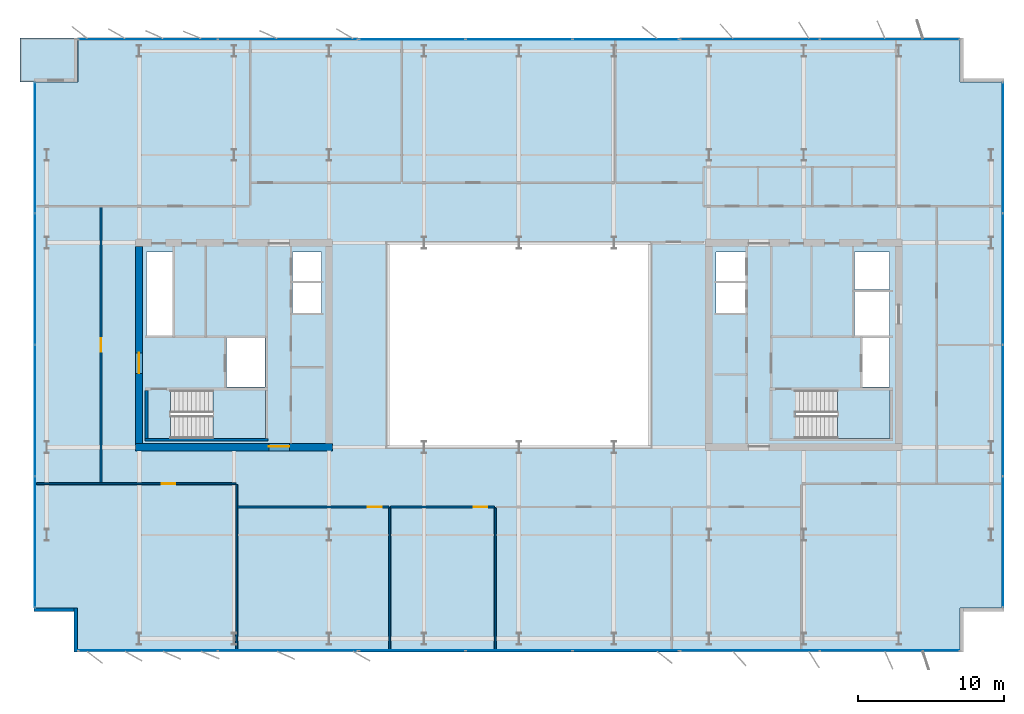
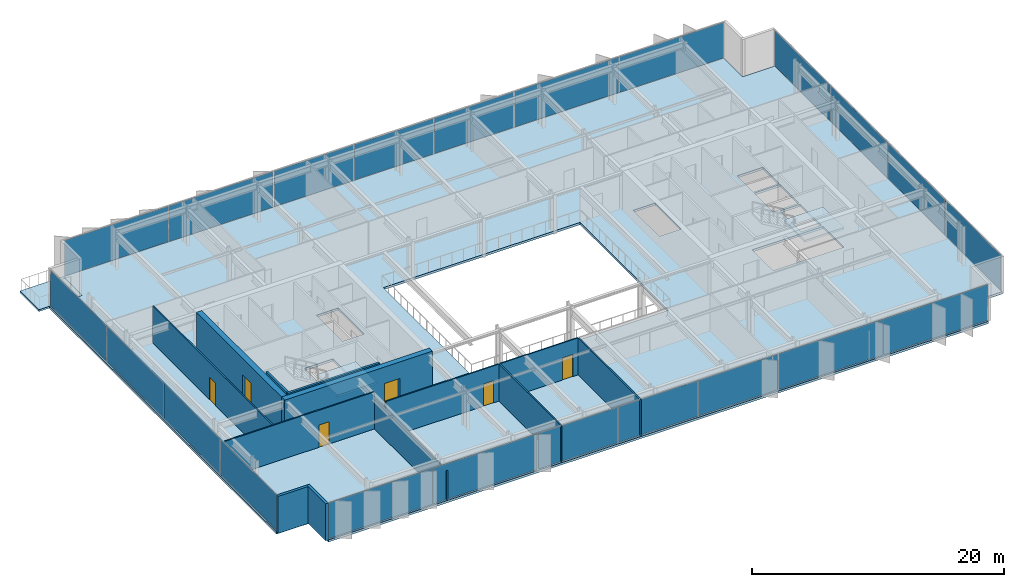
# One storey, part 16 of 23: 22 plates, 13 walls, 6 doors, 4 slabs, 6 openings, 10 elements without a shape of their own.
"""IFC4 building model written with IfcOpenShell, lengths in metres."""

from ifc_helpers import new_model, si_unit, direction, frame, frame_2d, origin, origin_2d, place, context, subcontext, project, spatial, polyline, rectangle, outline, extrude, material, layer, layer_set, type_object, element, fill, aggregate, save


model = new_model("IFC4")

# Units and contexts
model_context = context("Model", 3, precision=1e-05, world=origin(), true_north=direction((0.0, 1.0)))
body_context = subcontext(model_context, "Body", "Model", "MODEL_VIEW")
ifc_project = project(units=[si_unit("LENGTHUNIT", "METRE"), si_unit("AREAUNIT", "SQUARE_METRE"), si_unit("VOLUMEUNIT", "CUBIC_METRE"), si_unit("PLANEANGLEUNIT", "RADIAN"), si_unit("MASSUNIT", "GRAM", prefix="KILO")], contexts=[model_context])

# Site, building, storey
site_placement = place(None, origin())
site = spatial("IfcSite", under=ifc_project, at=site_placement, CompositionType="ELEMENT")
building_placement = place(site_placement, origin())
building = spatial("IfcBuilding", under=site, at=building_placement, Name="Putna Gate Headquarters", CompositionType="ELEMENT")
storey_placement = place(building_placement, frame((0.0, 0.0, 210.0)))
storey = spatial("IfcBuildingStorey", under=building, at=storey_placement, Name="L52", CompositionType="ELEMENT", Elevation=210.0)

# Stair, slab
ifc_material_1 = material(Name="Concrete C40/50", Category="concrete")
stair_type_1 = type_object("IfcStairType", Name="STAIR-ST1", PredefinedType="HALF_TURN_STAIR", material=ifc_material_1)
stair_1_placement = place(storey_placement, origin())
stair_1 = element("IfcStair", 1, at=stair_1_placement, inside=storey, type_object=stair_type_1, Name="L52 West Core Exit Stair ST1", PredefinedType="HALF_TURN_STAIR")
ifc_layer_1 = layer(ifc_material_1, 0.199951171875)
ifc_layer_set_1 = layer_set([ifc_layer_1], Name="Concrete C40/50")
slab_type_1 = type_object("IfcSlabType", Name="LANDING-ST1", PredefinedType="LANDING", material=ifc_layer_set_1)
slab_1_placement = place(storey_placement, frame((0.0, 0.0, 1.699951171875)))
slab_1 = element("IfcSlab", 2, at=slab_1_placement, type_object=slab_type_1, Name="ST1 landing 1", PredefinedType="LANDING", context=body_context, shape_type="SweptSolid", body=[
    extrude(outline(polyline([(18.050048828125, 19.60009765625), (21.64990234375, 19.60009765625), (21.64990234375, 22.89990234375), (18.050048828125, 22.89990234375), (18.050048828125, 19.60009765625)])), origin(), (0.0, 0.0, 1.0), 0.199951171875),
])
aggregate(stair_1, [slab_1])

stair_type_2 = type_object("IfcStairType", Name="STAIR-ST2", PredefinedType="HALF_TURN_STAIR", material=ifc_material_1)
stair_2_placement = place(storey_placement, origin())
stair_2 = element("IfcStair", 3, at=stair_2_placement, inside=storey, type_object=stair_type_2, Name="L52 East Core Exit Stair ST2", PredefinedType="HALF_TURN_STAIR")
ifc_layer_2 = layer(ifc_material_1, 0.199951171875)
ifc_layer_set_2 = layer_set([ifc_layer_2], Name="Concrete C40/50")
slab_type_2 = type_object("IfcSlabType", Name="LANDING-ST2", PredefinedType="LANDING", material=ifc_layer_set_2)
slab_2_placement = place(storey_placement, frame((0.0, 0.0, 1.699951171875)))
slab_2 = element("IfcSlab", 4, at=slab_2_placement, type_object=slab_type_2, Name="ST2 landing 1", PredefinedType="LANDING", context=body_context, shape_type="SweptSolid", body=[
    extrude(outline(polyline([(60.800048828125, 19.60009765625), (64.39990234375, 19.60009765625), (64.39990234375, 22.89990234375), (60.800048828125, 22.89990234375), (60.800048828125, 19.60009765625)])), origin(), (0.0, 0.0, 1.0), 0.199951171875),
])
aggregate(stair_2, [slab_2])

# Curtain wall, plates
ifc_material_2 = material(Name="Anodised bronze aluminium curtain wall", Category="aluminium")
ifc_layer_3 = layer(ifc_material_2, 0.139892578125)
ifc_layer_set_3 = layer_set([ifc_layer_3], Name="Anodised bronze aluminium curtain wall")
curtain_wall_type_1 = type_object("IfcCurtainWallType", Name="CW-SYS-Z4", PredefinedType="USERDEFINED", material=ifc_layer_set_3)
curtain_wall_1_placement = place(storey_placement, origin())
curtain_wall_1 = element("IfcCurtainWall", 5, at=curtain_wall_1_placement, inside=storey, type_object=curtain_wall_type_1, Name="L52 South West Curtain Wall", ObjectType="STICK CURTAIN WALL", PredefinedType="USERDEFINED")
ifc_material_3 = material(Name="Solar-control triple low-E glass", Category="glass")
ifc_layer_4 = layer(ifc_material_3, 0.02587890625)
ifc_layer_set_4 = layer_set([ifc_layer_4], Name="Solar-control triple low-E glass")
plate_type_1 = type_object("IfcPlateType", Name="PAN-CWP-4", PredefinedType="CURTAIN_PANEL", material=ifc_layer_set_4)
plate_1_placement = place(storey_placement, frame((13.614990234375, 5.080078125, 0.06005859375), z_axis=(0.0, 0.0, 1.0), x_axis=(1.0, 0.0, 0.0)))
plate_1 = element("IfcPlate", 6, at=plate_1_placement, type_object=plate_type_1, Name="CWS-4 panel 1.1", PredefinedType="CURTAIN_PANEL", context=body_context, shape_type="SweptSolid", body=[
    extrude(rectangle(XDim=9.510009765625, YDim=0.02587890625, at=origin_2d()), origin(), (0.0, 0.0, 1.0), 3.4599609375),
])
plate_2_placement = place(storey_placement, frame((23.18505859375, 5.080078125, 0.06005859375), z_axis=(0.0, 0.0, 1.0), x_axis=(1.0, 0.0, 0.0)))
plate_2 = element("IfcPlate", 7, at=plate_2_placement, type_object=plate_type_1, Name="CWS-4 panel 2.1", PredefinedType="CURTAIN_PANEL", context=body_context, shape_type="SweptSolid", body=[
    extrude(rectangle(XDim=9.510009765625, YDim=0.02587890625, at=origin_2d()), origin(), (0.0, 0.0, 1.0), 3.4599609375),
])
aggregate(curtain_wall_1, [plate_1, plate_2])

curtain_wall_2_placement = place(storey_placement, origin())
curtain_wall_2 = element("IfcCurtainWall", 8, at=curtain_wall_2_placement, inside=storey, type_object=curtain_wall_type_1, Name="L52 South East Curtain Wall", ObjectType="STICK CURTAIN WALL", PredefinedType="USERDEFINED")
plate_3_placement = place(storey_placement, frame((54.81494140625, 5.080078125, 0.06005859375), z_axis=(0.0, 0.0, 1.0), x_axis=(1.0, 0.0, 0.0)))
plate_3 = element("IfcPlate", 9, at=plate_3_placement, type_object=plate_type_1, Name="CWS-4 panel 1.1", PredefinedType="CURTAIN_PANEL", context=body_context, shape_type="SweptSolid", body=[
    extrude(rectangle(XDim=9.510009765625, YDim=0.02587890625, at=origin_2d()), origin(), (0.0, 0.0, 1.0), 3.4599609375),
])
plate_4_placement = place(storey_placement, frame((64.385009765625, 5.080078125, 0.06005859375), z_axis=(0.0, 0.0, 1.0), x_axis=(1.0, 0.0, 0.0)))
plate_4 = element("IfcPlate", 10, at=plate_4_placement, type_object=plate_type_1, Name="CWS-4 panel 2.1", PredefinedType="CURTAIN_PANEL", context=body_context, shape_type="SweptSolid", body=[
    extrude(rectangle(XDim=9.510009765625, YDim=0.02587890625, at=origin_2d()), origin(), (0.0, 0.0, 1.0), 3.4599609375),
])
aggregate(curtain_wall_2, [plate_3, plate_4])

curtain_wall_3_placement = place(storey_placement, origin())
curtain_wall_3 = element("IfcCurtainWall", 11, at=curtain_wall_3_placement, inside=storey, type_object=curtain_wall_type_1, Name="L52 North West Curtain Wall", ObjectType="STICK CURTAIN WALL", PredefinedType="USERDEFINED")
plate_5_placement = place(storey_placement, frame((13.614990234375, 46.919921875, 0.06005859375), z_axis=(0.0, 0.0, 1.0), x_axis=(1.0, 0.0, 0.0)))
plate_5 = element("IfcPlate", 12, at=plate_5_placement, type_object=plate_type_1, Name="CWS-4 panel 1.1", PredefinedType="CURTAIN_PANEL", context=body_context, shape_type="SweptSolid", body=[
    extrude(rectangle(XDim=9.510009765625, YDim=0.02587890625, at=origin_2d()), origin(), (0.0, 0.0, 1.0), 3.4599609375),
])
plate_6_placement = place(storey_placement, frame((23.18505859375, 46.919921875, 0.06005859375), z_axis=(0.0, 0.0, 1.0), x_axis=(1.0, 0.0, 0.0)))
plate_6 = element("IfcPlate", 13, at=plate_6_placement, type_object=plate_type_1, Name="CWS-4 panel 2.1", PredefinedType="CURTAIN_PANEL", context=body_context, shape_type="SweptSolid", body=[
    extrude(rectangle(XDim=9.510009765625, YDim=0.02587890625, at=origin_2d()), origin(), (0.0, 0.0, 1.0), 3.4599609375),
])
aggregate(curtain_wall_3, [plate_5, plate_6])

curtain_wall_4_placement = place(storey_placement, origin())
curtain_wall_4 = element("IfcCurtainWall", 14, at=curtain_wall_4_placement, inside=storey, type_object=curtain_wall_type_1, Name="L52 North East Curtain Wall", ObjectType="STICK CURTAIN WALL", PredefinedType="USERDEFINED")
plate_7_placement = place(storey_placement, frame((54.81494140625, 46.919921875, 0.06005859375), z_axis=(0.0, 0.0, 1.0), x_axis=(1.0, 0.0, 0.0)))
plate_7 = element("IfcPlate", 15, at=plate_7_placement, type_object=plate_type_1, Name="CWS-4 panel 1.1", PredefinedType="CURTAIN_PANEL", context=body_context, shape_type="SweptSolid", body=[
    extrude(rectangle(XDim=9.510009765625, YDim=0.02587890625, at=origin_2d()), origin(), (0.0, 0.0, 1.0), 3.4599609375),
])
plate_8_placement = place(storey_placement, frame((64.385009765625, 46.919921875, 0.06005859375), z_axis=(0.0, 0.0, 1.0), x_axis=(1.0, 0.0, 0.0)))
plate_8 = element("IfcPlate", 16, at=plate_8_placement, type_object=plate_type_1, Name="CWS-4 panel 2.1", PredefinedType="CURTAIN_PANEL", context=body_context, shape_type="SweptSolid", body=[
    extrude(rectangle(XDim=9.510009765625, YDim=0.02587890625, at=origin_2d()), origin(), (0.0, 0.0, 1.0), 3.4599609375),
])
aggregate(curtain_wall_4, [plate_7, plate_8])

curtain_wall_5_placement = place(storey_placement, origin())
curtain_wall_5 = element("IfcCurtainWall", 17, at=curtain_wall_5_placement, inside=storey, type_object=curtain_wall_type_1, Name="L52 West Curtain Wall", ObjectType="STICK CURTAIN WALL", PredefinedType="USERDEFINED")
plate_9_placement = place(storey_placement, frame((5.8798828125, 12.514892578125, 0.06005859375), z_axis=(0.0, 0.0, 1.0), x_axis=(0.0, 1.0, 0.0)))
plate_9 = element("IfcPlate", 18, at=plate_9_placement, type_object=plate_type_1, Name="CWS-4 panel 1.1", PredefinedType="CURTAIN_PANEL", context=body_context, shape_type="SweptSolid", body=[
    extrude(rectangle(XDim=8.909912109375, YDim=0.02587890625, at=origin_2d()), origin(), (0.0, 0.0, 1.0), 3.4599609375),
])
plate_10_placement = place(storey_placement, frame((5.8798828125, 21.5, 0.06005859375), z_axis=(0.0, 0.0, 1.0), x_axis=(0.0, 1.0, 0.0)))
plate_10 = element("IfcPlate", 19, at=plate_10_placement, type_object=plate_type_1, Name="CWS-4 panel 2.1", PredefinedType="CURTAIN_PANEL", context=body_context, shape_type="SweptSolid", body=[
    extrude(rectangle(XDim=8.93994140625, YDim=0.02587890625, at=origin_2d()), origin(), (0.0, 0.0, 1.0), 3.4599609375),
])
plate_11_placement = place(storey_placement, frame((5.8798828125, 30.5, 0.06005859375), z_axis=(0.0, 0.0, 1.0), x_axis=(0.0, 1.0, 0.0)))
plate_11 = element("IfcPlate", 20, at=plate_11_placement, type_object=plate_type_1, Name="CWS-4 panel 3.1", PredefinedType="CURTAIN_PANEL", context=body_context, shape_type="SweptSolid", body=[
    extrude(rectangle(XDim=8.93994140625, YDim=0.02587890625, at=origin_2d()), origin(), (0.0, 0.0, 1.0), 3.4599609375),
])
plate_12_placement = place(storey_placement, frame((5.8798828125, 39.485107421875, 0.06005859375), z_axis=(0.0, 0.0, 1.0), x_axis=(0.0, 1.0, 0.0)))
plate_12 = element("IfcPlate", 21, at=plate_12_placement, type_object=plate_type_1, Name="CWS-4 panel 4.1", PredefinedType="CURTAIN_PANEL", context=body_context, shape_type="SweptSolid", body=[
    extrude(rectangle(XDim=8.909912109375, YDim=0.02587890625, at=origin_2d()), origin(), (0.0, 0.0, 1.0), 3.4599609375),
])
aggregate(curtain_wall_5, [plate_9, plate_10, plate_11, plate_12])

curtain_wall_6_placement = place(storey_placement, origin())
curtain_wall_6 = element("IfcCurtainWall", 22, at=curtain_wall_6_placement, inside=storey, type_object=curtain_wall_type_1, Name="L52 East Curtain Wall", ObjectType="STICK CURTAIN WALL", PredefinedType="USERDEFINED")
plate_13_placement = place(storey_placement, frame((72.1201171875, 12.514892578125, 0.06005859375), z_axis=(0.0, 0.0, 1.0), x_axis=(0.0, 1.0, 0.0)))
plate_13 = element("IfcPlate", 23, at=plate_13_placement, type_object=plate_type_1, Name="CWS-4 panel 1.1", PredefinedType="CURTAIN_PANEL", context=body_context, shape_type="SweptSolid", body=[
    extrude(rectangle(XDim=8.909912109375, YDim=0.02587890625, at=origin_2d()), origin(), (0.0, 0.0, 1.0), 3.4599609375),
])
plate_14_placement = place(storey_placement, frame((72.1201171875, 21.5, 0.06005859375), z_axis=(0.0, 0.0, 1.0), x_axis=(0.0, 1.0, 0.0)))
plate_14 = element("IfcPlate", 24, at=plate_14_placement, type_object=plate_type_1, Name="CWS-4 panel 2.1", PredefinedType="CURTAIN_PANEL", context=body_context, shape_type="SweptSolid", body=[
    extrude(rectangle(XDim=8.93994140625, YDim=0.02587890625, at=origin_2d()), origin(), (0.0, 0.0, 1.0), 3.4599609375),
])
plate_15_placement = place(storey_placement, frame((72.1201171875, 30.5, 0.06005859375), z_axis=(0.0, 0.0, 1.0), x_axis=(0.0, 1.0, 0.0)))
plate_15 = element("IfcPlate", 25, at=plate_15_placement, type_object=plate_type_1, Name="CWS-4 panel 3.1", PredefinedType="CURTAIN_PANEL", context=body_context, shape_type="SweptSolid", body=[
    extrude(rectangle(XDim=8.93994140625, YDim=0.02587890625, at=origin_2d()), origin(), (0.0, 0.0, 1.0), 3.4599609375),
])
plate_16_placement = place(storey_placement, frame((72.1201171875, 39.485107421875, 0.06005859375), z_axis=(0.0, 0.0, 1.0), x_axis=(0.0, 1.0, 0.0)))
plate_16 = element("IfcPlate", 26, at=plate_16_placement, type_object=plate_type_1, Name="CWS-4 panel 4.1", PredefinedType="CURTAIN_PANEL", context=body_context, shape_type="SweptSolid", body=[
    extrude(rectangle(XDim=8.909912109375, YDim=0.02587890625, at=origin_2d()), origin(), (0.0, 0.0, 1.0), 3.4599609375),
])
aggregate(curtain_wall_6, [plate_13, plate_14, plate_15, plate_16])

ifc_layer_5 = layer(ifc_material_2, 0.179931640625)
ifc_layer_set_5 = layer_set([ifc_layer_5], Name="Anodised bronze aluminium curtain wall")
curtain_wall_type_2 = type_object("IfcCurtainWallType", Name="CW-SYS-ATR", PredefinedType="USERDEFINED", material=ifc_layer_set_5)
curtain_wall_7_placement = place(storey_placement, origin())
curtain_wall_7 = element("IfcCurtainWall", 27, at=curtain_wall_7_placement, inside=storey, type_object=curtain_wall_type_2, Name="L52 South Atrium Clear Glazing", ObjectType="ATRIUM GLAZING", PredefinedType="USERDEFINED")
ifc_material_4 = material(Name="Clear low-iron triple glazing", Category="glass")
ifc_layer_6 = layer(ifc_material_4, 0.0400390625)
ifc_layer_set_6 = layer_set([ifc_layer_6], Name="Clear low-iron triple glazing")
plate_type_2 = type_object("IfcPlateType", Name="PAN-CWP-AT", PredefinedType="CURTAIN_PANEL", material=ifc_layer_set_6)
plate_17_placement = place(storey_placement, frame((31.68408203125, 5.080078125, 0.070068359375), z_axis=(0.0, 0.0, 1.0), x_axis=(1.0, 0.0, 0.0)))
plate_17 = element("IfcPlate", 28, at=plate_17_placement, type_object=plate_type_2, Name="CWS-AT panel 1.1", PredefinedType="CURTAIN_PANEL", context=body_context, shape_type="SweptSolid", body=[
    extrude(rectangle(XDim=7.228271484375, YDim=0.0400390625, at=origin_2d()), origin(), (0.0, 0.0, 1.0), 3.43994140625),
])
plate_18_placement = place(storey_placement, frame((39.0, 5.080078125, 0.070068359375), z_axis=(0.0, 0.0, 1.0), x_axis=(1.0, 0.0, 0.0)))
plate_18 = element("IfcPlate", 29, at=plate_18_placement, type_object=plate_type_2, Name="CWS-AT panel 2.1", PredefinedType="CURTAIN_PANEL", context=body_context, shape_type="SweptSolid", body=[
    extrude(rectangle(XDim=7.263427734375, YDim=0.0400390625, at=origin_2d()), origin(), (0.0, 0.0, 1.0), 3.43994140625),
])
plate_19_placement = place(storey_placement, frame((46.31591796875, 5.080078125, 0.070068359375), z_axis=(0.0, 0.0, 1.0), x_axis=(1.0, 0.0, 0.0)))
plate_19 = element("IfcPlate", 30, at=plate_19_placement, type_object=plate_type_2, Name="CWS-AT panel 3.1", PredefinedType="CURTAIN_PANEL", context=body_context, shape_type="SweptSolid", body=[
    extrude(rectangle(XDim=7.228271484375, YDim=0.0400390625, at=origin_2d()), origin(), (0.0, 0.0, 1.0), 3.43994140625),
])
aggregate(curtain_wall_7, [plate_17, plate_18, plate_19])

curtain_wall_8_placement = place(storey_placement, origin())
curtain_wall_8 = element("IfcCurtainWall", 31, at=curtain_wall_8_placement, inside=storey, type_object=curtain_wall_type_2, Name="L52 North Atrium Clear Glazing", ObjectType="ATRIUM GLAZING", PredefinedType="USERDEFINED")
plate_20_placement = place(storey_placement, frame((31.68408203125, 46.919921875, 0.070068359375), z_axis=(0.0, 0.0, 1.0), x_axis=(1.0, 0.0, 0.0)))
plate_20 = element("IfcPlate", 32, at=plate_20_placement, type_object=plate_type_2, Name="CWS-AT panel 1.1", PredefinedType="CURTAIN_PANEL", context=body_context, shape_type="SweptSolid", body=[
    extrude(rectangle(XDim=7.228271484375, YDim=0.0400390625, at=origin_2d()), origin(), (0.0, 0.0, 1.0), 3.43994140625),
])
plate_21_placement = place(storey_placement, frame((39.0, 46.919921875, 0.070068359375), z_axis=(0.0, 0.0, 1.0), x_axis=(1.0, 0.0, 0.0)))
plate_21 = element("IfcPlate", 33, at=plate_21_placement, type_object=plate_type_2, Name="CWS-AT panel 2.1", PredefinedType="CURTAIN_PANEL", context=body_context, shape_type="SweptSolid", body=[
    extrude(rectangle(XDim=7.263427734375, YDim=0.0400390625, at=origin_2d()), origin(), (0.0, 0.0, 1.0), 3.43994140625),
])
plate_22_placement = place(storey_placement, frame((46.31591796875, 46.919921875, 0.070068359375), z_axis=(0.0, 0.0, 1.0), x_axis=(1.0, 0.0, 0.0)))
plate_22 = element("IfcPlate", 34, at=plate_22_placement, type_object=plate_type_2, Name="CWS-AT panel 3.1", PredefinedType="CURTAIN_PANEL", context=body_context, shape_type="SweptSolid", body=[
    extrude(rectangle(XDim=7.228271484375, YDim=0.0400390625, at=origin_2d()), origin(), (0.0, 0.0, 1.0), 3.43994140625),
])
aggregate(curtain_wall_8, [plate_20, plate_21, plate_22])

# Slabs
ifc_layer_7 = layer(ifc_material_1, 0.179931640625)
ifc_layer_set_7 = layer_set([ifc_layer_7], Name="Concrete C40/50")
slab_type_3 = type_object("IfcSlabType", Name="SLAB-TERRACE-180", PredefinedType="FLOOR", material=ifc_layer_set_7)
slab_3_placement = place(storey_placement, frame((0.0, 0.0, -0.179931640625)))
element("IfcSlab", 35, at=slab_3_placement, inside=storey, type_object=slab_type_3, Name="L52 Spiral Sky-Garden Terrace Slab (NW)", PredefinedType="FLOOR", context=body_context, shape_type="SweptSolid", body=[
    extrude(outline(polyline([(4.85009765625, 43.991943359375), (8.80810546875, 43.991943359375), (8.80810546875, 47.0), (4.85009765625, 47.0), (4.85009765625, 43.991943359375)])), origin(), (0.0, 0.0, 1.0), 0.179931640625),
])
ifc_layer_8 = layer(ifc_material_1, 0.219970703125)
ifc_layer_set_8 = layer_set([ifc_layer_8], Name="Concrete C40/50")
slab_type_4 = type_object("IfcSlabType", Name="SLAB-Z4-220", PredefinedType="FLOOR", material=ifc_layer_set_8)
slab_4_placement = place(storey_placement, frame((0.0, 0.0, -0.219970703125)))
element("IfcSlab", 36, at=slab_4_placement, inside=storey, type_object=slab_type_4, Name="L52 Composite Floor Slab", PredefinedType="FLOOR", context=body_context, shape_type="SweptSolid", body=[
    extrude(outline(polyline([(8.800048828125, 5.0), (69.199951171875, 5.0), (69.199951171875, 8.0), (72.199951171875, 8.0), (72.199951171875, 44.0), (69.199951171875, 44.0), (69.199951171875, 47.0), (8.800048828125, 47.0), (8.800048828125, 44.0), (5.800048828125, 44.0), (5.800048828125, 8.0), (8.800048828125, 8.0), (8.800048828125, 5.0)]), holes=[polyline([(15.1650390625, 19.60009765625), (21.64990234375, 19.60009765625), (21.64990234375, 22.89990234375), (15.1650390625, 22.89990234375), (15.1650390625, 19.60009765625)]), polyline([(57.9150390625, 19.60009765625), (64.39990234375, 19.60009765625), (64.39990234375, 22.89990234375), (57.9150390625, 22.89990234375), (57.9150390625, 19.60009765625)]), polyline([(13.52001953125, 26.659912109375), (15.280029296875, 26.659912109375), (15.280029296875, 32.35009765625), (13.52001953125, 32.35009765625), (13.52001953125, 26.659912109375)]), polyline([(61.969970703125, 29.780029296875), (64.35009765625, 29.780029296875), (64.35009765625, 32.35009765625), (61.969970703125, 32.35009765625), (61.969970703125, 29.780029296875)]), polyline([(18.97998046875, 23.1201171875), (21.6201171875, 23.1201171875), (21.6201171875, 26.4599609375), (18.97998046875, 26.4599609375), (18.97998046875, 23.1201171875)]), polyline([(62.52001953125, 23.1201171875), (64.35009765625, 23.1201171875), (64.35009765625, 26.4599609375), (62.52001953125, 26.4599609375), (62.52001953125, 23.1201171875)]), polyline([(61.969970703125, 26.659912109375), (64.35009765625, 26.659912109375), (64.35009765625, 29.6201171875), (61.969970703125, 29.6201171875), (61.969970703125, 26.659912109375)]), polyline([(23.5, 28.199951171875), (25.5, 28.199951171875), (25.5, 32.35009765625), (23.5, 32.35009765625), (23.5, 28.199951171875)]), polyline([(52.47998046875, 28.199951171875), (54.5, 28.199951171875), (54.5, 32.35009765625), (52.47998046875, 32.35009765625), (52.47998046875, 28.199951171875)]), polyline([(30.0, 19.0), (48.0, 19.0), (48.0, 33.0), (30.0, 33.0), (30.0, 19.0)])]), origin(), (0.0, 0.0, 1.0), 0.219970703125),
])

# Wall, opening, door
ifc_material_5 = material(Name="Concrete C50/60", Category="concrete")
ifc_layer_9 = layer(ifc_material_5, 0.5)
ifc_layer_set_9 = layer_set([ifc_layer_9], Name="Concrete C50/60")
wall_type_1 = type_object("IfcWallType", Name="WALL-CORE-500", PredefinedType="SHEAR", material=ifc_layer_set_9)
wall_1_placement = place(storey_placement, frame((12.75, 19.0, 0.0), z_axis=(0.0, 0.0, 1.0), x_axis=(1.0, 0.0, 0.0)))
wall_1 = element("IfcWall", 37, at=wall_1_placement, inside=storey, type_object=wall_type_1, Name="L52 WC Split Core Shear Wall S", PredefinedType="SHEAR", context=body_context, shape_type="SweptSolid", body=[
    extrude(rectangle(XDim=13.5, YDim=0.5, at=frame_2d((6.75, 0.0))), origin(), (0.0, 0.0, 1.0), 3.800048828125),
])
opening_1_placement = place(wall_1_placement, frame((9.1298828125, 0.0, 0.0)))
opening_1 = element("IfcOpeningElement", 38, at=opening_1_placement, cuts=wall_1, Name="Opening FDD-140", PredefinedType="OPENING", context=body_context, shape_type="SweptSolid", body=[
    extrude(rectangle(XDim=1.39990234375, YDim=2.199951171875, at=frame_2d((0.699951171875, 1.10009765625))), frame((0.0, 0.260009765625, 0.0), z_axis=(0.0, -1.0, 0.0), x_axis=(1.0, 0.0, 0.0)), (0.0, 0.0, 1.0), 0.52001953125),
])
ifc_material_6 = material(Name="Double steel fire door", Category="steel")
door_type_1 = type_object("IfcDoorType", Name="DOOR-FIRE-DBL-1400", OperationType="DOUBLE_DOOR_SINGLE_SWING", PredefinedType="DOOR", material=ifc_material_6)
door_1_placement = place(opening_1_placement, origin())
door_1 = element("IfcDoor", 39, at=door_1_placement, inside=storey, type_object=door_type_1, Name="L52 West Lift Lobby South Door", OperationType="DOUBLE_DOOR_SINGLE_SWING", OverallHeight=2.199951171875, OverallWidth=1.39990234375, PredefinedType="DOOR", context=body_context, shape_type="SweptSolid", body=[
    extrude(rectangle(XDim=1.39990234375, YDim=2.199951171875, at=frame_2d((0.699951171875, 1.10009765625))), frame((0.0, 0.0751953125, 0.0), z_axis=(0.0, -1.0, 0.0), x_axis=(1.0, 0.0, 0.0)), (0.0, 0.0, 1.0), 0.050048828125),
])
fill(opening_1, door_1)

wall_2_placement = place(storey_placement, frame((13.0, 19.25, 0.0), z_axis=(0.0, 0.0, 1.0), x_axis=(0.0, 1.0, 0.0)))
wall_2 = element("IfcWall", 40, at=wall_2_placement, inside=storey, type_object=wall_type_1, Name="L52 WC Split Core Shear Wall W", PredefinedType="SHEAR", context=body_context, shape_type="SweptSolid", body=[
    extrude(rectangle(XDim=13.5, YDim=0.5, at=frame_2d((6.75, 0.0))), origin(), (0.0, 0.0, 1.0), 3.800048828125),
])
opening_2_placement = place(wall_2_placement, frame((4.800048828125, 0.0, 0.0)))
opening_2 = element("IfcOpeningElement", 41, at=opening_2_placement, cuts=wall_2, Name="Opening FDD-140", PredefinedType="OPENING", context=body_context, shape_type="SweptSolid", body=[
    extrude(rectangle(XDim=1.39990234375, YDim=2.199951171875, at=frame_2d((0.699951171875, 1.10009765625))), frame((0.0, 0.260009765625, 0.0), z_axis=(0.0, -1.0, 0.0), x_axis=(1.0, 0.0, 0.0)), (0.0, 0.0, 1.0), 0.52001953125),
])
door_2_placement = place(opening_2_placement, origin())
door_2 = element("IfcDoor", 42, at=door_2_placement, inside=storey, type_object=door_type_1, Name="L52 West Firefighting Lobby Door", OperationType="DOUBLE_DOOR_SINGLE_SWING", OverallHeight=2.199951171875, OverallWidth=1.39990234375, PredefinedType="DOOR", context=body_context, shape_type="SweptSolid", body=[
    extrude(rectangle(XDim=1.39990234375, YDim=2.199951171875, at=frame_2d((0.699951171875, 1.10009765625))), frame((0.0, 0.02490234375, 0.0), z_axis=(0.0, -1.0, 0.0), x_axis=(1.0, 0.0, 0.0)), (0.0, 0.0, 1.0), 0.050048828125),
])
fill(opening_2, door_2)

# Walls
ifc_material_7 = material(Name="Precast concrete C40/50", Category="concrete")
ifc_layer_10 = layer(ifc_material_7, 0.239990234375)
ifc_layer_set_10 = layer_set([ifc_layer_10], Name="Precast concrete C40/50")
wall_type_2 = type_object("IfcWallType", Name="WALL-EXT-TERR-240", PredefinedType="STANDARD", material=ifc_layer_set_10)
for number, where, z_axis, x_axis, name in (
    (43, (8.679931640625, 5.0, 0.0), (0.0, 0.0, 1.0), (0.0, 1.0, 0.0), "L52 Corner Notch Return Wall SW-V"),
    (44, (8.800048828125, 7.8798828125, 0.0), (0.0, 0.0, 1.0), (-1.0, 0.0, 0.0), "L52 Corner Notch Return Wall SW-H"),
):
    element("IfcWall", number, at=place(storey_placement, frame(where, z_axis=z_axis, x_axis=x_axis)), inside=storey, type_object=wall_type_2, Name=name, PredefinedType="STANDARD", context=body_context, shape_type="SweptSolid", body=[
        extrude(rectangle(XDim=3.0, YDim=0.239990234375, at=frame_2d((1.5, 0.0))), origin(), (0.0, 0.0, 1.0), 3.580078125),
    ])
ifc_material_8 = material(Name="Acoustic gypsum board on metal stud")
ifc_layer_11 = layer(ifc_material_8, 0.1201171875)
ifc_layer_set_11 = layer_set([ifc_layer_11], Name="Acoustic gypsum board on metal stud")
wall_type_3 = type_object("IfcWallType", Name="WALL-PART-120", PredefinedType="PARTITIONING", material=ifc_layer_set_11)
wall_3_placement = place(storey_placement, frame((19.683349609375, 5.02001953125, 0.0), z_axis=(0.0, 0.0, 1.0), x_axis=(0.0, 1.0, 0.0)))
element("IfcWall", 45, at=wall_3_placement, inside=storey, type_object=wall_type_3, Name="L52 Interior Wall PART-L52-SB-DIV-01", PredefinedType="PARTITIONING", context=body_context, shape_type="SweptSolid", body=[
    extrude(rectangle(XDim=11.419921875, YDim=0.1201171875, at=frame_2d((5.7099609375, 0.0))), origin(), (0.0, 0.0, 1.0), 2.8798828125),
])
for number, where, z_axis, x_axis, name in (
    (46, (30.150634765625, 5.02001953125, 0.0), (0.0, 0.0, 1.0), (0.0, 1.0, 0.0), "L52 Interior Wall PART-L52-SB-DIV-02"),
    (47, (37.382080078125, 5.02001953125, 0.0), (0.0, 0.0, 1.0), (0.0, 1.0, 0.0), "L52 Interior Wall PART-L52-SB-DIV-03"),
):
    element("IfcWall", number, at=place(storey_placement, frame(where, z_axis=z_axis, x_axis=x_axis)), inside=storey, type_object=wall_type_3, Name=name, PredefinedType="PARTITIONING", context=body_context, shape_type="SweptSolid", body=[
        extrude(rectangle(XDim=9.820068359375, YDim=0.1201171875, at=frame_2d((4.91015625, 0.0))), origin(), (0.0, 0.0, 1.0), 3.580078125),
    ])

# Wall, opening, door
ifc_material_9 = material(Name="Fire-rated gypsum board on metal stud")
ifc_layer_12 = layer(ifc_material_9, 0.1201171875)
ifc_layer_set_12 = layer_set([ifc_layer_12], Name="Fire-rated gypsum board on metal stud")
wall_type_4 = type_object("IfcWallType", Name="WALL-PART-120-RATED", PredefinedType="PARTITIONING", material=ifc_layer_set_12)
wall_4_placement = place(storey_placement, frame((5.97998046875, 16.5, 0.0), z_axis=(0.0, 0.0, 1.0), x_axis=(1.0, 0.0, 0.0)))
wall_4 = element("IfcWall", 48, at=wall_4_placement, inside=storey, type_object=wall_type_4, Name="L52 Interior Wall PART-L52-SB-CW-01", PredefinedType="PARTITIONING", context=body_context, shape_type="SweptSolid", body=[
    extrude(rectangle(XDim=13.643310546875, YDim=0.1201171875, at=frame_2d((6.82177734375, 0.0))), origin(), (0.0, 0.0, 1.0), 3.580078125),
])
opening_3_placement = place(wall_4_placement, frame((8.556640625, 0.0, 0.0)))
opening_3 = element("IfcOpeningElement", 49, at=opening_3_placement, cuts=wall_4, Name="Opening FD-95", PredefinedType="OPENING", context=body_context, shape_type="SweptSolid", body=[
    extrude(rectangle(XDim=0.949951171875, YDim=2.14990234375, at=frame_2d((0.47509765625, 1.074951171875))), frame((0.0, 0.070068359375, 0.0), z_axis=(0.0, -1.0, 0.0), x_axis=(1.0, 0.0, 0.0)), (0.0, 0.0, 1.0), 0.14013671875),
])
ifc_material_10 = material(Name="Acoustic timber fire door", Category="wood")
door_type_2 = type_object("IfcDoorType", Name="DOOR-FIRE-950", OperationType="NOTDEFINED", PredefinedType="DOOR", material=ifc_material_10)
door_3_placement = place(opening_3_placement, origin())
door_3 = element("IfcDoor", 50, at=door_3_placement, inside=storey, type_object=door_type_2, Name="L52 Collaborative Breakout Lounge 1 Door", OperationType="SINGLE_SWING_LEFT", OverallHeight=2.14990234375, OverallWidth=0.949951171875, PredefinedType="DOOR", context=body_context, shape_type="SweptSolid", body=[
    extrude(rectangle(XDim=0.949951171875, YDim=2.14990234375, at=frame_2d((0.47509765625, 1.074951171875))), frame((0.0, 0.02490234375, 0.0), z_axis=(0.0, -1.0, 0.0), x_axis=(1.0, 0.0, 0.0)), (0.0, 0.0, 1.0), 0.050048828125),
])
fill(opening_3, door_3)

wall_5_placement = place(storey_placement, frame((19.743408203125, 14.89990234375, 0.0), z_axis=(0.0, 0.0, 1.0), x_axis=(1.0, 0.0, 0.0)))
wall_5 = element("IfcWall", 51, at=wall_5_placement, inside=storey, type_object=wall_type_4, Name="L52 Interior Wall PART-L52-SB-CW-02", PredefinedType="PARTITIONING", context=body_context, shape_type="SweptSolid", body=[
    extrude(rectangle(XDim=10.34716796875, YDim=0.1201171875, at=frame_2d((5.173583984375, 0.0))), origin(), (0.0, 0.0, 1.0), 3.580078125),
])
opening_4_placement = place(wall_5_placement, frame((8.917236328125, 0.0, 0.0)))
opening_4 = element("IfcOpeningElement", 52, at=opening_4_placement, cuts=wall_5, Name="Opening FD-95", PredefinedType="OPENING", context=body_context, shape_type="SweptSolid", body=[
    extrude(rectangle(XDim=0.949951171875, YDim=2.14990234375, at=frame_2d((0.47509765625, 1.074951171875))), frame((0.0, 0.070068359375, 0.0), z_axis=(0.0, -1.0, 0.0), x_axis=(1.0, 0.0, 0.0)), (0.0, 0.0, 1.0), 0.14013671875),
])
door_4_placement = place(opening_4_placement, origin())
door_4 = element("IfcDoor", 53, at=door_4_placement, inside=storey, type_object=door_type_2, Name="L52 Cellular Office 2 Door", OperationType="SINGLE_SWING_RIGHT", OverallHeight=2.14990234375, OverallWidth=0.949951171875, PredefinedType="DOOR", context=body_context, shape_type="SweptSolid", body=[
    extrude(rectangle(XDim=0.949951171875, YDim=2.14990234375, at=frame_2d((0.47509765625, 1.074951171875))), frame((0.0, 0.02490234375, 0.0), z_axis=(0.0, -1.0, 0.0), x_axis=(1.0, 0.0, 0.0)), (0.0, 0.0, 1.0), 0.050048828125),
])
fill(opening_4, door_4)

wall_6_placement = place(storey_placement, frame((30.210693359375, 14.89990234375, 0.0), z_axis=(0.0, 0.0, 1.0), x_axis=(1.0, 0.0, 0.0)))
wall_6 = element("IfcWall", 54, at=wall_6_placement, inside=storey, type_object=wall_type_4, Name="L52 Interior Wall PART-L52-SB-CW-03", PredefinedType="PARTITIONING", context=body_context, shape_type="SweptSolid", body=[
    extrude(rectangle(XDim=7.111328125, YDim=0.1201171875, at=frame_2d((3.5556640625, 0.0))), origin(), (0.0, 0.0, 1.0), 3.580078125),
])
opening_5_placement = place(wall_6_placement, frame((5.681396484375, 0.0, 0.0)))
opening_5 = element("IfcOpeningElement", 55, at=opening_5_placement, cuts=wall_6, Name="Opening FD-95", PredefinedType="OPENING", context=body_context, shape_type="SweptSolid", body=[
    extrude(rectangle(XDim=0.949951171875, YDim=2.14990234375, at=frame_2d((0.47509765625, 1.074951171875))), frame((0.0, 0.070068359375, 0.0), z_axis=(0.0, -1.0, 0.0), x_axis=(1.0, 0.0, 0.0)), (0.0, 0.0, 1.0), 0.14013671875),
])
door_5_placement = place(opening_5_placement, origin())
door_5 = element("IfcDoor", 56, at=door_5_placement, inside=storey, type_object=door_type_2, Name="L52 Cellular Office 3 Door", OperationType="SINGLE_SWING_LEFT", OverallHeight=2.14990234375, OverallWidth=0.949951171875, PredefinedType="DOOR", context=body_context, shape_type="SweptSolid", body=[
    extrude(rectangle(XDim=0.949951171875, YDim=2.14990234375, at=frame_2d((0.47509765625, 1.074951171875))), frame((0.0, 0.02490234375, 0.0), z_axis=(0.0, -1.0, 0.0), x_axis=(1.0, 0.0, 0.0)), (0.0, 0.0, 1.0), 0.050048828125),
])
fill(opening_5, door_5)

wall_7_placement = place(storey_placement, frame((10.39990234375, 16.5, 0.0), z_axis=(0.0, 0.0, 1.0), x_axis=(0.0, 1.0, 0.0)))
wall_7 = element("IfcWall", 57, at=wall_7_placement, inside=storey, type_object=wall_type_4, Name="L52 Interior Wall PART-L52-WW-CW-1", PredefinedType="PARTITIONING", context=body_context, shape_type="SweptSolid", body=[
    extrude(rectangle(XDim=19.0, YDim=0.1201171875, at=frame_2d((9.5, 0.0))), origin(), (0.0, 0.0, 1.0), 3.580078125),
])
opening_6_placement = place(wall_7_placement, frame((9.02490234375, 0.0, 0.0)))
opening_6 = element("IfcOpeningElement", 58, at=opening_6_placement, cuts=wall_7, Name="Opening FD-95", PredefinedType="OPENING", context=body_context, shape_type="SweptSolid", body=[
    extrude(rectangle(XDim=0.949951171875, YDim=2.14990234375, at=frame_2d((0.47509765625, 1.074951171875))), frame((0.0, 0.070068359375, 0.0), z_axis=(0.0, -1.0, 0.0), x_axis=(1.0, 0.0, 0.0)), (0.0, 0.0, 1.0), 0.14013671875),
])
door_6_placement = place(opening_6_placement, origin())
door_6 = element("IfcDoor", 59, at=door_6_placement, inside=storey, type_object=door_type_2, Name="L52 West Executive Office 1 Door", OperationType="SINGLE_SWING_LEFT", OverallHeight=2.14990234375, OverallWidth=0.949951171875, PredefinedType="DOOR", context=body_context, shape_type="SweptSolid", body=[
    extrude(rectangle(XDim=0.949951171875, YDim=2.14990234375, at=frame_2d((0.47509765625, 1.074951171875))), frame((0.0, 0.02490234375, 0.0), z_axis=(0.0, -1.0, 0.0), x_axis=(1.0, 0.0, 0.0)), (0.0, 0.0, 1.0), 0.050048828125),
])
fill(opening_6, door_6)

# Walls
ifc_layer_13 = layer(ifc_material_1, 0.199951171875)
ifc_layer_set_13 = layer_set([ifc_layer_13], Name="Concrete C40/50")
wall_type_5 = type_object("IfcWallType", Name="WALL-SHAFT-RC200", PredefinedType="SHEAR", material=ifc_layer_set_13)
wall_8_placement = place(storey_placement, frame((13.409912109375, 19.510009765625, 0.0), z_axis=(0.0, 0.0, 1.0), x_axis=(1.0, 0.0, 0.0)))
element("IfcWall", 60, at=wall_8_placement, inside=storey, type_object=wall_type_5, Name="L52 Stair ST1 Structural Shaft Wall S", PredefinedType="SHEAR", context=body_context, shape_type="SweptSolid", body=[
    extrude(rectangle(XDim=8.43017578125, YDim=0.199951171875, at=frame_2d((4.215087890625, 0.0))), origin(), (0.0, 0.0, 1.0), 3.800048828125),
])
wall_9_placement = place(storey_placement, frame((13.510009765625, 19.610107421875, 0.0), z_axis=(0.0, 0.0, 1.0), x_axis=(0.0, 1.0, 0.0)))
element("IfcWall", 61, at=wall_9_placement, inside=storey, type_object=wall_type_5, Name="L52 Stair ST1 Structural Shaft Wall W", PredefinedType="SHEAR", context=body_context, shape_type="SweptSolid", body=[
    extrude(rectangle(XDim=3.27978515625, YDim=0.199951171875, at=frame_2d((1.639892578125, 0.0))), origin(), (0.0, 0.0, 1.0), 3.800048828125),
])

save(model, "model.ifc")
